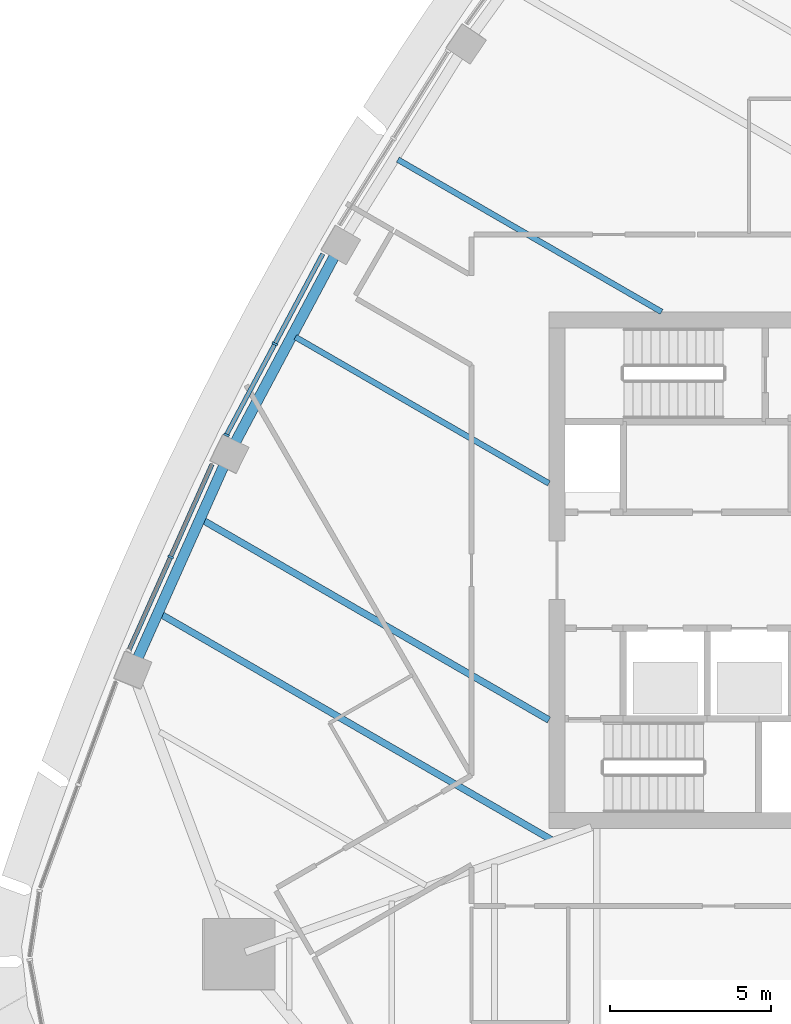
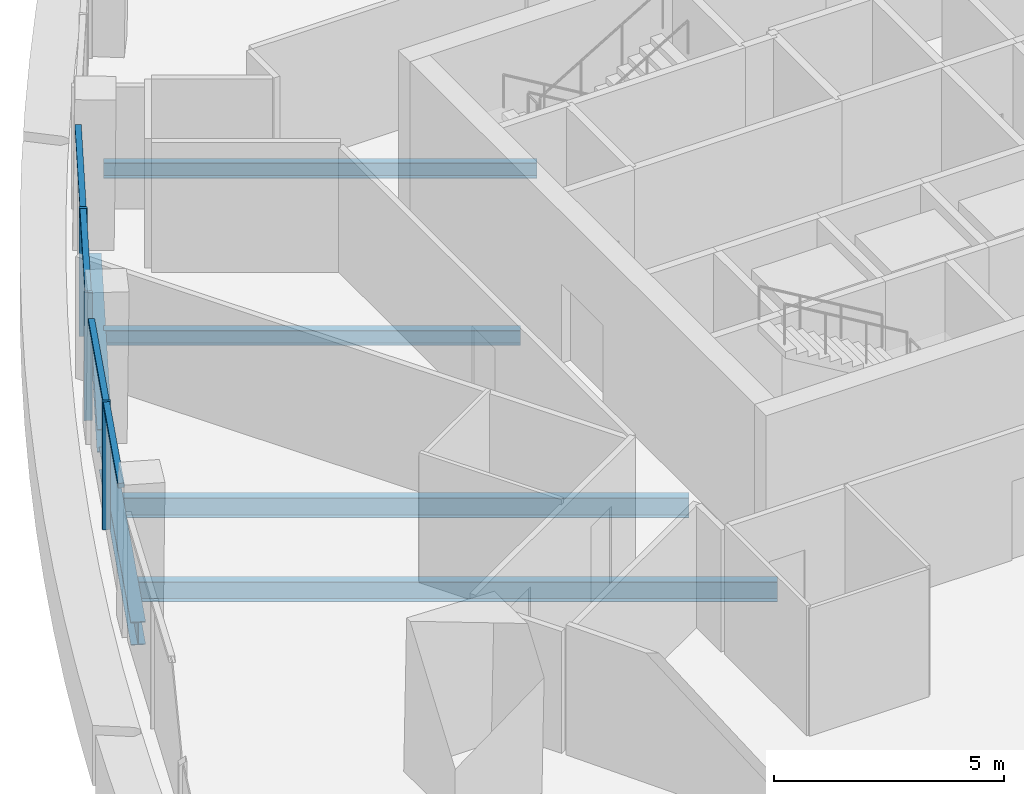
# One storey, part 3 of 18: 7 members, 6 beams, 2 elements without a shape of their own.
"""IFC4 building model written with IfcOpenShell, lengths in metres."""

from ifc_helpers import new_model, si_unit, direction, frame, origin, origin_2d, place, context, subcontext, project, spatial, rectangle, i_section, extrude, material, layer, layer_set, material_profile, profile_set, type_object, element, aggregate, save


model = new_model("IFC4")

# Units and contexts
model_context = context("Model", 3, precision=1e-05, world=origin(), true_north=direction((0.0, 1.0)))
body_context = subcontext(model_context, "Body", "Model", "MODEL_VIEW")
ifc_project = project(units=[si_unit("LENGTHUNIT", "METRE"), si_unit("AREAUNIT", "SQUARE_METRE"), si_unit("VOLUMEUNIT", "CUBIC_METRE"), si_unit("PLANEANGLEUNIT", "RADIAN"), si_unit("MASSUNIT", "GRAM", prefix="KILO")], contexts=[model_context])

# Site, building, storey
site_placement = place(None, origin())
site = spatial("IfcSite", under=ifc_project, at=site_placement, CompositionType="ELEMENT")
building_placement = place(site_placement, origin())
building = spatial("IfcBuilding", under=site, at=building_placement, Name="Sierra Prisma Convention Tower", CompositionType="ELEMENT")
storey_placement = place(building_placement, frame((0.0, 0.0, 291.0)))
storey = spatial("IfcBuildingStorey", under=building, at=storey_placement, Name="L66", CompositionType="ELEMENT", Elevation=291.0)

# Curtain wall, members
ifc_material_1 = material(Name="Aluminium and glass curtain wall", Category="aluminium")
ifc_layer = layer(ifc_material_1, 0.179931640625)
ifc_layer_set = layer_set([ifc_layer], Name="CW-1 Plain shaft curtain wall")
curtain_wall_type = type_object("IfcCurtainWallType", Name="CW-1 Plain shaft curtain wall", PredefinedType="NOTDEFINED", material=ifc_layer_set)
curtain_wall_1_placement = place(storey_placement, origin())
curtain_wall_1 = element("IfcCurtainWall", 1, at=curtain_wall_1_placement, inside=storey, type_object=curtain_wall_type, Name="CW-1 NW4 L66", PredefinedType="NOTDEFINED")
ifc_material_2 = material(Name="Aluminium 6063-T6 bronze anodised", Category="aluminium")
ifc_material_profile_1 = material_profile(ifc_material_2, rectangle(XDim=0.179931640625, YDim=0.070068359375, at=origin_2d()), Name="ALU MULLION 70x180")
ifc_profile_set_1 = profile_set([ifc_material_profile_1], Name="Aluminium 6063-T6 bronze anodised")
member_type_1 = type_object("IfcMemberType", Name="CW mullion bronze", PredefinedType="MULLION", material=ifc_profile_set_1)
member_1_placement = place(storey_placement, frame((-19.487548828125, 7.007568359375, 0.0), z_axis=(0.0, 0.0, 1.0), x_axis=(0.882716173653, -0.469906540465, 0.0)))
member_1 = element("IfcMember", 2, at=member_1_placement, type_object=member_type_1, Name="CW-1 mullion NW4.2", PredefinedType="MULLION", context=body_context, shape_type="SweptSolid", body=[
    extrude(rectangle(XDim=0.179931640625, YDim=0.070068359375, at=origin_2d()), origin(), (0.0, 0.0, 1.0), 3.39990234375),
])
member_2_placement = place(storey_placement, frame((-20.98779296875, 4.189697265625, 0.0), z_axis=(0.0, 0.0, 1.0), x_axis=(0.882716173653, -0.469906540465, 0.0)))
member_2 = element("IfcMember", 3, at=member_2_placement, type_object=member_type_1, Name="CW-1 mullion NW4.3", PredefinedType="MULLION", context=body_context, shape_type="SweptSolid", body=[
    extrude(rectangle(XDim=0.179931640625, YDim=0.070068359375, at=origin_2d()), origin(), (0.0, 0.0, 1.0), 3.39990234375),
])

# Curtain wall, member
curtain_wall_2_placement = place(storey_placement, origin())
curtain_wall_2 = element("IfcCurtainWall", 4, at=curtain_wall_2_placement, inside=storey, type_object=curtain_wall_type, Name="CW-1 NW5 L66", PredefinedType="NOTDEFINED")
member_3_placement = place(storey_placement, frame((-22.715576171875, 0.408203125, 0.0), z_axis=(0.0, 0.0, 1.0), x_axis=(0.912943253598, -0.408086529685, 0.0)))
member_3 = element("IfcMember", 5, at=member_3_placement, type_object=member_type_1, Name="CW-1 mullion NW5.2", PredefinedType="MULLION", context=body_context, shape_type="SweptSolid", body=[
    extrude(rectangle(XDim=0.179931640625, YDim=0.070068359375, at=origin_2d()), origin(), (0.0, 0.0, 1.0), 3.39990234375),
])

# Member
ifc_material_3 = material(Name="Aluminium 6063-T6 bronze anodised", Category="aluminium")
ifc_material_profile_2 = material_profile(ifc_material_3, rectangle(XDim=0.139892578125, YDim=0.1201171875, at=origin_2d()), Name="ALU TRANSOM 120x140")
ifc_profile_set_2 = profile_set([ifc_material_profile_2], Name="Aluminium 6063-T6 bronze anodised")
member_type_2 = type_object("IfcMemberType", Name="CW transom bronze", PredefinedType="USERDEFINED", material=ifc_profile_set_2)
member_4_placement = place(storey_placement, frame((-18.004150390625, 9.794677734375, 3.340087890625), z_axis=(-0.469869719674, -0.882735773906, 0.0), x_axis=(0.882735773906, -0.469869719674, 0.0)))
member_4 = element("IfcMember", 6, at=member_4_placement, type_object=member_type_2, Name="CW-1 transom NW4.1", ObjectType="TRANSOM", PredefinedType="USERDEFINED", context=body_context, shape_type="SweptSolid", body=[
    extrude(rectangle(XDim=0.139892578125, YDim=0.1201171875, at=origin_2d()), origin(), (0.0, 0.0, 1.0), 3.122314453125),
])

member_5_placement = place(storey_placement, frame((-19.504150390625, 6.976806640625, 3.340087890625), z_axis=(-0.469869719674, -0.882735773906, 0.0), x_axis=(0.882735773906, -0.469869719674, 0.0)))
member_5 = element("IfcMember", 7, at=member_5_placement, type_object=member_type_2, Name="CW-1 transom NW4.2", ObjectType="TRANSOM", PredefinedType="USERDEFINED", context=body_context, shape_type="SweptSolid", body=[
    extrude(rectangle(XDim=0.139892578125, YDim=0.1201171875, at=origin_2d()), origin(), (0.0, 0.0, 1.0), 3.122314453125),
])

aggregate(curtain_wall_1, [member_1, member_2, member_4, member_5])

member_6_placement = place(storey_placement, frame((-21.43359375, 3.276123046875, 3.340087890625), z_axis=(-0.408062725269, -0.912953893823, 0.0), x_axis=(0.912953893823, -0.408062725269, 0.0)))
member_6 = element("IfcMember", 8, at=member_6_placement, type_object=member_type_2, Name="CW-1 transom NW5.1", ObjectType="TRANSOM", PredefinedType="USERDEFINED", context=body_context, shape_type="SweptSolid", body=[
    extrude(rectangle(XDim=0.139892578125, YDim=0.1201171875, at=origin_2d()), origin(), (0.0, 0.0, 1.0), 3.1064453125),
])

member_7_placement = place(storey_placement, frame((-22.729736328125, 0.376220703125, 3.340087890625), z_axis=(-0.408128229453, -0.912924612618, 0.0), x_axis=(0.912924612618, -0.408128229453, 0.0)))
member_7 = element("IfcMember", 9, at=member_7_placement, type_object=member_type_2, Name="CW-1 transom NW5.2", ObjectType="TRANSOM", PredefinedType="USERDEFINED", context=body_context, shape_type="SweptSolid", body=[
    extrude(rectangle(XDim=0.139892578125, YDim=0.1201171875, at=origin_2d()), origin(), (0.0, 0.0, 1.0), 3.1064453125),
])

aggregate(curtain_wall_2, [member_3, member_6, member_7])

# Beams
ifc_material_4 = material(Name="Steel ASTM A992 Gr 50", Category="steel")
ifc_material_profile_3 = material_profile(ifc_material_4, i_section(OverallWidth=0.177978515625, OverallDepth=0.406982421875, WebThickness=0.0078125, FlangeThickness=0.0126953125, at=origin_2d()), Name="W410x60")
ifc_profile_set_3 = profile_set([ifc_material_profile_3], Name="Steel ASTM A992 Gr 50")
beam_type_1 = type_object("IfcBeamType", Name="Floor joist W410x60", PredefinedType="JOIST", material=ifc_profile_set_3)
beam_1_placement = place(storey_placement, frame((-15.67822265625, 12.71533203125, -0.353515625), z_axis=(0.866020036431, -0.500009296414, 0.0), x_axis=(0.500009296414, 0.866020036431, 0.0)))
element("IfcBeam", 10, at=beam_1_placement, inside=storey, type_object=beam_type_1, Name="Floor joist L66 NW06", PredefinedType="JOIST", context=body_context, shape_type="SweptSolid", body=[
    extrude(i_section(OverallWidth=0.177978515625, OverallDepth=0.406982421875, WebThickness=0.0078125, FlangeThickness=0.0126953125, at=origin_2d()), origin(), (0.0, 0.0, 1.0), 9.430419921875),
])
beam_2_placement = place(storey_placement, frame((-18.850830078125, 7.219970703125, -0.353515625), z_axis=(0.866035346426, -0.499982778443, 0.0), x_axis=(0.499982778443, 0.866035346426, 0.0)))
element("IfcBeam", 11, at=beam_2_placement, inside=storey, type_object=beam_type_1, Name="Floor joist L66 NW08", PredefinedType="JOIST", context=body_context, shape_type="SweptSolid", body=[
    extrude(i_section(OverallWidth=0.177978515625, OverallDepth=0.406982421875, WebThickness=0.0078125, FlangeThickness=0.0126953125, at=origin_2d()), origin(), (0.0, 0.0, 1.0), 9.065185546875),
])
ifc_material_5 = material(Name="Steel ASTM A992 Gr 50", Category="steel")
ifc_material_profile_4 = material_profile(ifc_material_5, i_section(OverallWidth=0.208984375, OverallDepth=0.532958984375, WebThickness=0.01025390625, FlangeThickness=0.015625, at=origin_2d()), Name="W530x92")
ifc_profile_set_4 = profile_set([ifc_material_profile_4], Name="Steel ASTM A992 Gr 50")
beam_type_2 = type_object("IfcBeamType", Name="Floor joist W530x92", PredefinedType="JOIST", material=ifc_profile_set_4)
beam_3_placement = place(storey_placement, frame((-21.702880859375, 1.539794921875, -0.41650390625), z_axis=(0.866029325378, -0.499993207539, 0.0), x_axis=(0.499993207539, 0.866029325378, 0.0)))
element("IfcBeam", 12, at=beam_3_placement, inside=storey, type_object=beam_type_2, Name="Floor joist L66 NW10", PredefinedType="JOIST", context=body_context, shape_type="SweptSolid", body=[
    extrude(i_section(OverallWidth=0.208984375, OverallDepth=0.532958984375, WebThickness=0.01025390625, FlangeThickness=0.015625, at=origin_2d()), origin(), (0.0, 0.0, 1.0), 12.358642578125),
])
beam_4_placement = place(storey_placement, frame((-23.004638671875, -1.3720703125, -0.41650390625), z_axis=(0.866024263715, -0.500001974653, 0.0), x_axis=(0.500001974653, 0.866024263715, 0.0)))
element("IfcBeam", 13, at=beam_4_placement, inside=storey, type_object=beam_type_2, Name="Floor joist L66 NW11", PredefinedType="JOIST", context=body_context, shape_type="SweptSolid", body=[
    extrude(i_section(OverallWidth=0.208984375, OverallDepth=0.532958984375, WebThickness=0.01025390625, FlangeThickness=0.015625, at=origin_2d()), origin(), (0.0, 0.0, 1.0), 13.9619140625),
])
ifc_material_6 = material(Name="Steel ASTM A992 Gr 50", Category="steel")
ifc_material_profile_5 = material_profile(ifc_material_6, i_section(OverallWidth=0.324951171875, OverallDepth=0.615966796875, WebThickness=0.013916015625, FlangeThickness=0.021484375, at=origin_2d()), Name="W610x174")
ifc_profile_set_5 = profile_set([ifc_material_profile_5], Name="Steel ASTM A992 Gr 50")
beam_type_3 = type_object("IfcBeamType", Name="Spandrel beam W610x174", PredefinedType="BEAM", material=ifc_profile_set_5)
for number, where, z_axis, x_axis, name in (
    (14, (-17.61181640625, 9.787109375, -0.4580078125), (-0.469895919791, -0.882721827397, 0.0), (0.882721827397, -0.469895919791, 0.0), "Spandrel L66-16"),
    (15, (-21.041748046875, 3.295654296875, -0.4580078125), (-0.408080027983, -0.912946159837, 0.0), (0.912946159837, -0.408080027983, 0.0), "Spandrel L66-17"),
):
    element("IfcBeam", number, at=place(storey_placement, frame(where, z_axis=z_axis, x_axis=x_axis)), inside=storey, type_object=beam_type_3, Name=name, PredefinedType="BEAM", context=body_context, shape_type="SweptSolid", body=[
        extrude(i_section(OverallWidth=0.324951171875, OverallDepth=0.615966796875, WebThickness=0.013916015625, FlangeThickness=0.021484375, at=origin_2d()), origin(), (0.0, 0.0, 1.0), 6.68212890625),
    ])

save(model, "model.ifc")
